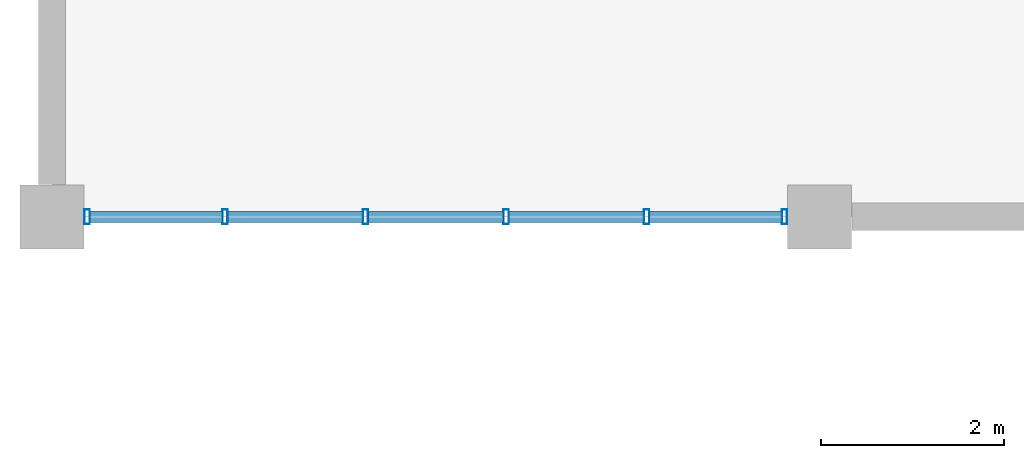
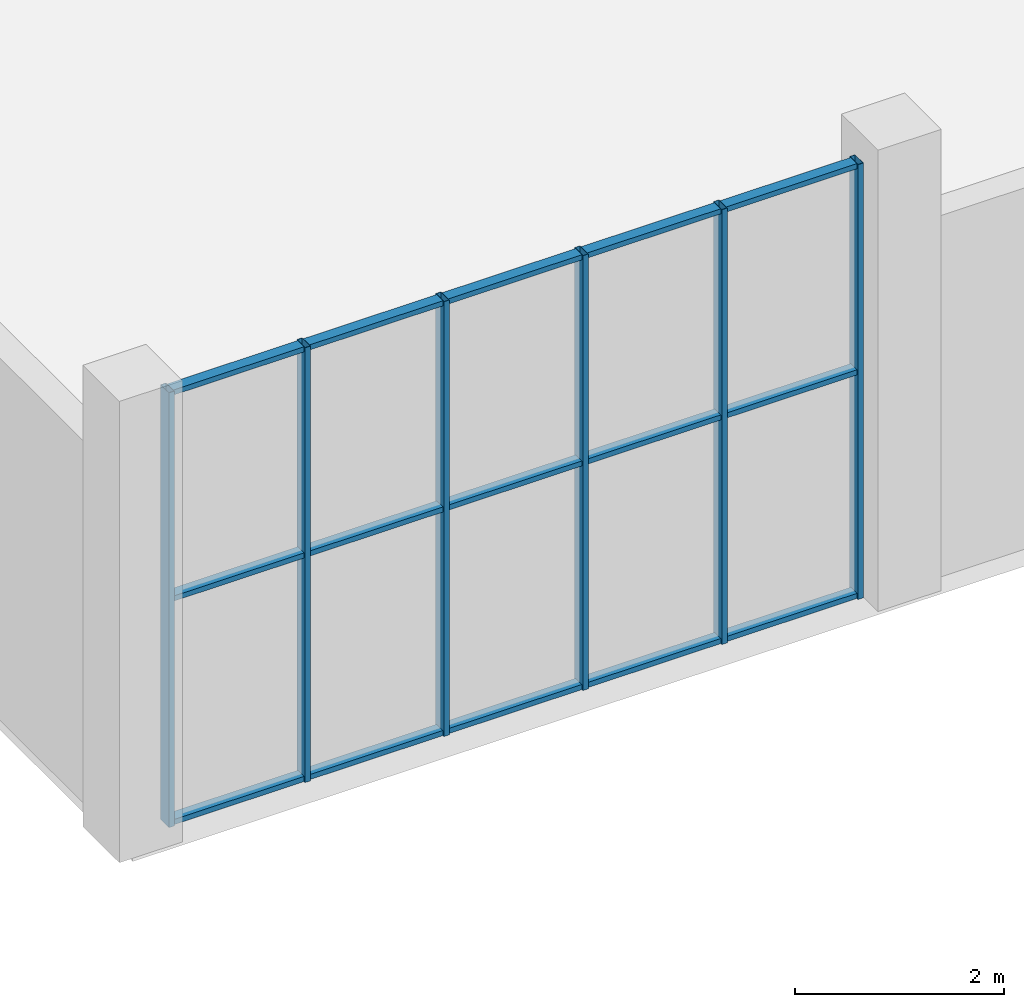
# One storey, part 12 of 91: 21 members, 1 element without a shape of its own.
"""IFC4 building model written with IfcOpenShell, lengths in metres."""

from ifc_helpers import new_model, si_unit, direction, frame, origin, origin_2d, place, context, subcontext, project, spatial, hollow_rectangle, extrude, material, material_profile, profile_set, type_object, element, aggregate, save


model = new_model("IFC4")

# Units and contexts
model_context = context("Model", 3, precision=1e-05, world=origin(), true_north=direction((0.0, 1.0)))
body_context = subcontext(model_context, "Body", "Model", "MODEL_VIEW")
ifc_project = project(units=[si_unit("LENGTHUNIT", "METRE"), si_unit("AREAUNIT", "SQUARE_METRE"), si_unit("VOLUMEUNIT", "CUBIC_METRE"), si_unit("PLANEANGLEUNIT", "RADIAN"), si_unit("MASSUNIT", "GRAM", prefix="KILO")], contexts=[model_context])

# Site, building, storey
site_placement = place(None, origin())
site = spatial("IfcSite", under=ifc_project, at=site_placement, CompositionType="ELEMENT")
building_placement = place(site_placement, origin())
building = spatial("IfcBuilding", under=site, at=building_placement, Name="Khurvash Pelagic Aquarium", CompositionType="ELEMENT")
storey_placement = place(building_placement, origin())
storey = spatial("IfcBuildingStorey", under=building, at=storey_placement, Name="L00", CompositionType="ELEMENT", Elevation=0.0)

# Curtain wall, members
ifc_material_1 = material(Name="Anodised aluminium and low-E laminated glass", Category="aluminium")
curtain_wall_type = type_object("IfcCurtainWallType", Name="CW-02", PredefinedType="USERDEFINED", material=ifc_material_1)
curtain_wall_placement = place(storey_placement, origin())
curtain_wall = element("IfcCurtainWall", 1, at=curtain_wall_placement, inside=storey, type_object=curtain_wall_type, Name="L00 Facade Unitised Curtain Wall CW-02 0071", ObjectType="UNITISED CURTAIN WALL", PredefinedType="USERDEFINED")
ifc_material_2 = material(Name="Extruded aluminium AW-6063-T6", Category="aluminium")
ifc_material_profile_1 = material_profile(ifc_material_2, hollow_rectangle(XDim=0.06005859375, YDim=0.159912109375, WallThickness=0.00390625, at=origin_2d()), Name="CWM60X160X4")
ifc_profile_set_1 = profile_set([ifc_material_profile_1], Name="Extruded aluminium AW-6063-T6")
member_type_1 = type_object("IfcMemberType", Name="CM-02", PredefinedType="MULLION", material=ifc_profile_set_1)
member_1_placement = place(storey_placement, frame((0.385009765625, 56.89990234375, 0.0), z_axis=(0.0, 0.0, 1.0), x_axis=(1.0, 0.0, 0.0)))
member_1 = element("IfcMember", 2, at=member_1_placement, type_object=member_type_1, Name="CW-02 mullion 1", PredefinedType="MULLION", context=body_context, shape_type="SweptSolid", body=[
    extrude(hollow_rectangle(XDim=0.06005859375, YDim=0.159912109375, WallThickness=0.00390625, at=origin_2d()), origin(), (0.0, 0.0, 1.0), 5.090087890625),
])
member_2_placement = place(storey_placement, frame((1.89306640625, 56.89990234375, 0.0), z_axis=(0.0, 0.0, 1.0), x_axis=(1.0, 0.0, 0.0)))
member_2 = element("IfcMember", 3, at=member_2_placement, type_object=member_type_1, Name="CW-02 mullion 2", PredefinedType="MULLION", context=body_context, shape_type="SweptSolid", body=[
    extrude(hollow_rectangle(XDim=0.06005859375, YDim=0.159912109375, WallThickness=0.00390625, at=origin_2d()), origin(), (0.0, 0.0, 1.0), 5.090087890625),
])
member_3_placement = place(storey_placement, frame((3.430908203125, 56.89990234375, 0.0), z_axis=(0.0, 0.0, 1.0), x_axis=(1.0, 0.0, 0.0)))
member_3 = element("IfcMember", 4, at=member_3_placement, type_object=member_type_1, Name="CW-02 mullion 3", PredefinedType="MULLION", context=body_context, shape_type="SweptSolid", body=[
    extrude(hollow_rectangle(XDim=0.06005859375, YDim=0.159912109375, WallThickness=0.00390625, at=origin_2d()), origin(), (0.0, 0.0, 1.0), 5.090087890625),
])
member_4_placement = place(storey_placement, frame((4.968994140625, 56.89990234375, 0.0), z_axis=(0.0, 0.0, 1.0), x_axis=(1.0, 0.0, 0.0)))
member_4 = element("IfcMember", 5, at=member_4_placement, type_object=member_type_1, Name="CW-02 mullion 4", PredefinedType="MULLION", context=body_context, shape_type="SweptSolid", body=[
    extrude(hollow_rectangle(XDim=0.06005859375, YDim=0.159912109375, WallThickness=0.00390625, at=origin_2d()), origin(), (0.0, 0.0, 1.0), 5.090087890625),
])
member_5_placement = place(storey_placement, frame((6.507080078125, 56.89990234375, 0.0), z_axis=(0.0, 0.0, 1.0), x_axis=(1.0, 0.0, 0.0)))
member_5 = element("IfcMember", 6, at=member_5_placement, type_object=member_type_1, Name="CW-02 mullion 5", PredefinedType="MULLION", context=body_context, shape_type="SweptSolid", body=[
    extrude(hollow_rectangle(XDim=0.06005859375, YDim=0.159912109375, WallThickness=0.00390625, at=origin_2d()), origin(), (0.0, 0.0, 1.0), 5.090087890625),
])
member_6_placement = place(storey_placement, frame((8.014892578125, 56.89990234375, 0.0), z_axis=(0.0, 0.0, 1.0), x_axis=(1.0, 0.0, 0.0)))
member_6 = element("IfcMember", 7, at=member_6_placement, type_object=member_type_1, Name="CW-02 mullion 6", PredefinedType="MULLION", context=body_context, shape_type="SweptSolid", body=[
    extrude(hollow_rectangle(XDim=0.06005859375, YDim=0.159912109375, WallThickness=0.00390625, at=origin_2d()), origin(), (0.0, 0.0, 1.0), 5.090087890625),
])
ifc_material_profile_2 = material_profile(ifc_material_2, hollow_rectangle(XDim=0.1201171875, YDim=0.06005859375, WallThickness=0.00390625, at=origin_2d()), Name="CWT120X60X4")
ifc_profile_set_2 = profile_set([ifc_material_profile_2], Name="Extruded aluminium AW-6063-T6")
member_type_2 = type_object("IfcMemberType", Name="CT-02", PredefinedType="USERDEFINED", material=ifc_profile_set_2)
member_7_placement = place(storey_placement, frame((0.4150390625, 56.89990234375, 0.030029296875), z_axis=(1.0, 0.0, 0.0), x_axis=(0.0, 1.0, 0.0)))
member_7 = element("IfcMember", 8, at=member_7_placement, type_object=member_type_2, Name="CW-02 transom 1.1", ObjectType="TRANSOM", PredefinedType="USERDEFINED", context=body_context, shape_type="SweptSolid", body=[
    extrude(hollow_rectangle(XDim=0.1201171875, YDim=0.06005859375, WallThickness=0.00390625, at=origin_2d()), origin(), (0.0, 0.0, 1.0), 1.447998046875),
])
member_8_placement = place(storey_placement, frame((0.4150390625, 56.89990234375, 2.64697265625), z_axis=(1.0, 0.0, 0.0), x_axis=(0.0, 1.0, 0.0)))
member_8 = element("IfcMember", 9, at=member_8_placement, type_object=member_type_2, Name="CW-02 transom 1.2", ObjectType="TRANSOM", PredefinedType="USERDEFINED", context=body_context, shape_type="SweptSolid", body=[
    extrude(hollow_rectangle(XDim=0.1201171875, YDim=0.06005859375, WallThickness=0.00390625, at=origin_2d()), origin(), (0.0, 0.0, 1.0), 1.447998046875),
])
member_9_placement = place(storey_placement, frame((0.4150390625, 56.89990234375, 5.06005859375), z_axis=(1.0, 0.0, 0.0), x_axis=(0.0, 1.0, 0.0)))
member_9 = element("IfcMember", 10, at=member_9_placement, type_object=member_type_2, Name="CW-02 transom 1.3", ObjectType="TRANSOM", PredefinedType="USERDEFINED", context=body_context, shape_type="SweptSolid", body=[
    extrude(hollow_rectangle(XDim=0.1201171875, YDim=0.06005859375, WallThickness=0.00390625, at=origin_2d()), origin(), (0.0, 0.0, 1.0), 1.447998046875),
])
member_10_placement = place(storey_placement, frame((1.923095703125, 56.89990234375, 0.030029296875), z_axis=(1.0, 0.0, 0.0), x_axis=(0.0, 1.0, 0.0)))
member_10 = element("IfcMember", 11, at=member_10_placement, type_object=member_type_2, Name="CW-02 transom 2.1", ObjectType="TRANSOM", PredefinedType="USERDEFINED", context=body_context, shape_type="SweptSolid", body=[
    extrude(hollow_rectangle(XDim=0.1201171875, YDim=0.06005859375, WallThickness=0.00390625, at=origin_2d()), origin(), (0.0, 0.0, 1.0), 1.477783203125),
])
member_11_placement = place(storey_placement, frame((1.923095703125, 56.89990234375, 2.64697265625), z_axis=(1.0, 0.0, 0.0), x_axis=(0.0, 1.0, 0.0)))
member_11 = element("IfcMember", 12, at=member_11_placement, type_object=member_type_2, Name="CW-02 transom 2.2", ObjectType="TRANSOM", PredefinedType="USERDEFINED", context=body_context, shape_type="SweptSolid", body=[
    extrude(hollow_rectangle(XDim=0.1201171875, YDim=0.06005859375, WallThickness=0.00390625, at=origin_2d()), origin(), (0.0, 0.0, 1.0), 1.477783203125),
])
member_12_placement = place(storey_placement, frame((1.923095703125, 56.89990234375, 5.06005859375), z_axis=(1.0, 0.0, 0.0), x_axis=(0.0, 1.0, 0.0)))
member_12 = element("IfcMember", 13, at=member_12_placement, type_object=member_type_2, Name="CW-02 transom 2.3", ObjectType="TRANSOM", PredefinedType="USERDEFINED", context=body_context, shape_type="SweptSolid", body=[
    extrude(hollow_rectangle(XDim=0.1201171875, YDim=0.06005859375, WallThickness=0.00390625, at=origin_2d()), origin(), (0.0, 0.0, 1.0), 1.477783203125),
])
member_13_placement = place(storey_placement, frame((3.4609375, 56.89990234375, 0.030029296875), z_axis=(1.0, 0.0, 0.0), x_axis=(0.0, 1.0, 0.0)))
member_13 = element("IfcMember", 14, at=member_13_placement, type_object=member_type_2, Name="CW-02 transom 3.1", ObjectType="TRANSOM", PredefinedType="USERDEFINED", context=body_context, shape_type="SweptSolid", body=[
    extrude(hollow_rectangle(XDim=0.1201171875, YDim=0.06005859375, WallThickness=0.00390625, at=origin_2d()), origin(), (0.0, 0.0, 1.0), 1.47802734375),
])
member_14_placement = place(storey_placement, frame((3.4609375, 56.89990234375, 2.64697265625), z_axis=(1.0, 0.0, 0.0), x_axis=(0.0, 1.0, 0.0)))
member_14 = element("IfcMember", 15, at=member_14_placement, type_object=member_type_2, Name="CW-02 transom 3.2", ObjectType="TRANSOM", PredefinedType="USERDEFINED", context=body_context, shape_type="SweptSolid", body=[
    extrude(hollow_rectangle(XDim=0.1201171875, YDim=0.06005859375, WallThickness=0.00390625, at=origin_2d()), origin(), (0.0, 0.0, 1.0), 1.47802734375),
])
member_15_placement = place(storey_placement, frame((3.4609375, 56.89990234375, 5.06005859375), z_axis=(1.0, 0.0, 0.0), x_axis=(0.0, 1.0, 0.0)))
member_15 = element("IfcMember", 16, at=member_15_placement, type_object=member_type_2, Name="CW-02 transom 3.3", ObjectType="TRANSOM", PredefinedType="USERDEFINED", context=body_context, shape_type="SweptSolid", body=[
    extrude(hollow_rectangle(XDim=0.1201171875, YDim=0.06005859375, WallThickness=0.00390625, at=origin_2d()), origin(), (0.0, 0.0, 1.0), 1.47802734375),
])
member_16_placement = place(storey_placement, frame((4.9990234375, 56.89990234375, 0.030029296875), z_axis=(1.0, 0.0, 0.0), x_axis=(0.0, 1.0, 0.0)))
member_16 = element("IfcMember", 17, at=member_16_placement, type_object=member_type_2, Name="CW-02 transom 4.1", ObjectType="TRANSOM", PredefinedType="USERDEFINED", context=body_context, shape_type="SweptSolid", body=[
    extrude(hollow_rectangle(XDim=0.1201171875, YDim=0.06005859375, WallThickness=0.00390625, at=origin_2d()), origin(), (0.0, 0.0, 1.0), 1.47802734375),
])
member_17_placement = place(storey_placement, frame((4.9990234375, 56.89990234375, 2.64697265625), z_axis=(1.0, 0.0, 0.0), x_axis=(0.0, 1.0, 0.0)))
member_17 = element("IfcMember", 18, at=member_17_placement, type_object=member_type_2, Name="CW-02 transom 4.2", ObjectType="TRANSOM", PredefinedType="USERDEFINED", context=body_context, shape_type="SweptSolid", body=[
    extrude(hollow_rectangle(XDim=0.1201171875, YDim=0.06005859375, WallThickness=0.00390625, at=origin_2d()), origin(), (0.0, 0.0, 1.0), 1.47802734375),
])
member_18_placement = place(storey_placement, frame((4.9990234375, 56.89990234375, 5.06005859375), z_axis=(1.0, 0.0, 0.0), x_axis=(0.0, 1.0, 0.0)))
member_18 = element("IfcMember", 19, at=member_18_placement, type_object=member_type_2, Name="CW-02 transom 4.3", ObjectType="TRANSOM", PredefinedType="USERDEFINED", context=body_context, shape_type="SweptSolid", body=[
    extrude(hollow_rectangle(XDim=0.1201171875, YDim=0.06005859375, WallThickness=0.00390625, at=origin_2d()), origin(), (0.0, 0.0, 1.0), 1.47802734375),
])
member_19_placement = place(storey_placement, frame((6.537109375, 56.89990234375, 0.030029296875), z_axis=(1.0, 0.0, 0.0), x_axis=(0.0, 1.0, 0.0)))
member_19 = element("IfcMember", 20, at=member_19_placement, type_object=member_type_2, Name="CW-02 transom 5.1", ObjectType="TRANSOM", PredefinedType="USERDEFINED", context=body_context, shape_type="SweptSolid", body=[
    extrude(hollow_rectangle(XDim=0.1201171875, YDim=0.06005859375, WallThickness=0.00390625, at=origin_2d()), origin(), (0.0, 0.0, 1.0), 1.447998046875),
])
member_20_placement = place(storey_placement, frame((6.537109375, 56.89990234375, 2.64697265625), z_axis=(1.0, 0.0, 0.0), x_axis=(0.0, 1.0, 0.0)))
member_20 = element("IfcMember", 21, at=member_20_placement, type_object=member_type_2, Name="CW-02 transom 5.2", ObjectType="TRANSOM", PredefinedType="USERDEFINED", context=body_context, shape_type="SweptSolid", body=[
    extrude(hollow_rectangle(XDim=0.1201171875, YDim=0.06005859375, WallThickness=0.00390625, at=origin_2d()), origin(), (0.0, 0.0, 1.0), 1.447998046875),
])
member_21_placement = place(storey_placement, frame((6.537109375, 56.89990234375, 5.06005859375), z_axis=(1.0, 0.0, 0.0), x_axis=(0.0, 1.0, 0.0)))
member_21 = element("IfcMember", 22, at=member_21_placement, type_object=member_type_2, Name="CW-02 transom 5.3", ObjectType="TRANSOM", PredefinedType="USERDEFINED", context=body_context, shape_type="SweptSolid", body=[
    extrude(hollow_rectangle(XDim=0.1201171875, YDim=0.06005859375, WallThickness=0.00390625, at=origin_2d()), origin(), (0.0, 0.0, 1.0), 1.447998046875),
])
aggregate(curtain_wall, [member_1, member_2, member_3, member_4, member_5, member_6, member_7, member_8, member_9, member_10, member_11, member_12, member_13, member_14, member_15, member_16, member_17, member_18, member_19, member_20, member_21])

save(model, "model.ifc")
